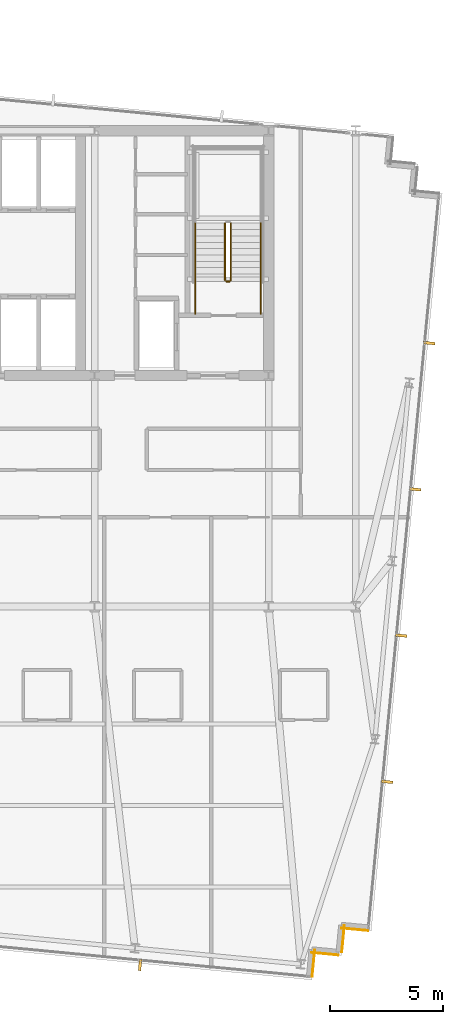
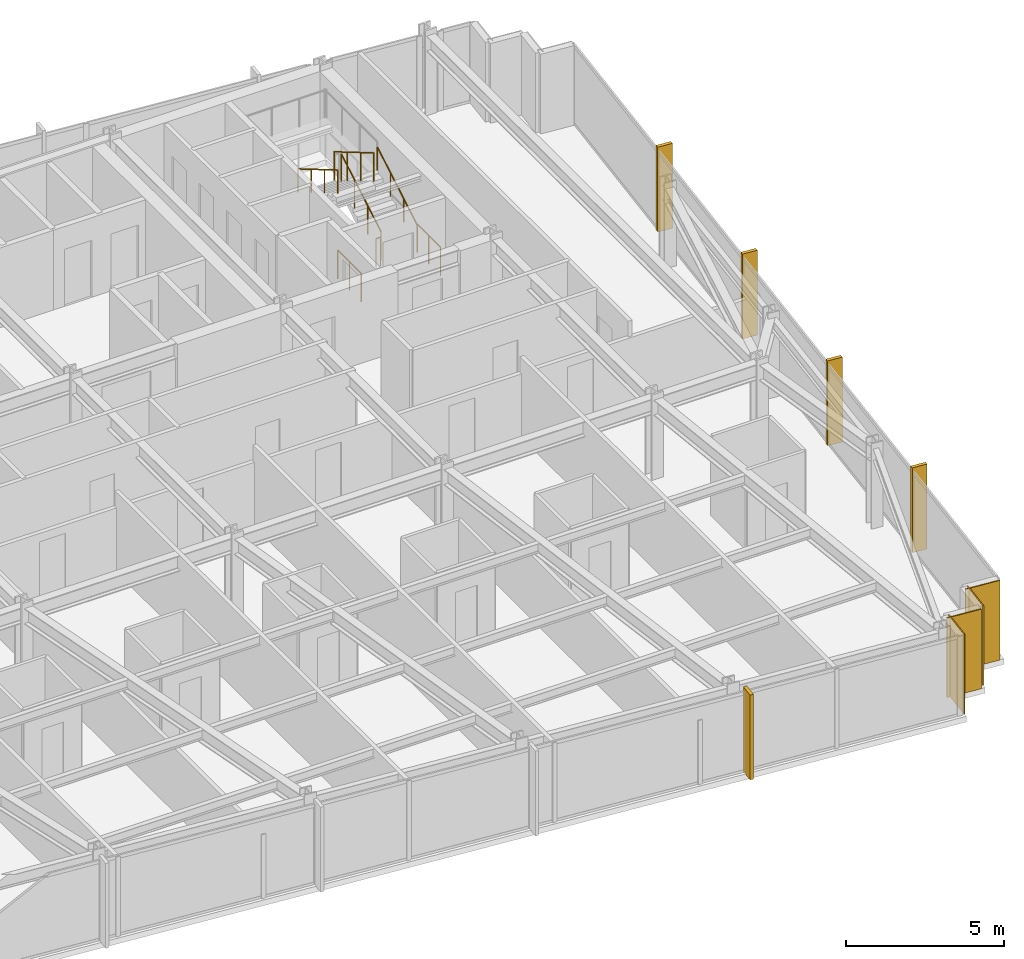
# One storey, part 35 of 37: 7 railings, 5 shading devices, 4 coverings.
"""IFC4 building model written with IfcOpenShell, lengths in metres."""

from ifc_helpers import new_model, si_unit, direction, frame, frame_2d, origin, origin_2d, place, context, subcontext, project, spatial, rectangle, circle, extrude, material, layer, layer_set, type_object, element, save


model = new_model("IFC4")

# Units and contexts
model_context = context("Model", 3, precision=1e-05, world=origin(), true_north=direction((0.0, 1.0)))
body_context = subcontext(model_context, "Body", "Model", "MODEL_VIEW")
ifc_project = project(units=[si_unit("LENGTHUNIT", "METRE"), si_unit("AREAUNIT", "SQUARE_METRE"), si_unit("VOLUMEUNIT", "CUBIC_METRE"), si_unit("PLANEANGLEUNIT", "RADIAN"), si_unit("MASSUNIT", "GRAM", prefix="KILO")], contexts=[model_context])

# Site, building, storey
site_placement = place(None, origin())
site = spatial("IfcSite", under=ifc_project, at=site_placement, CompositionType="ELEMENT")
building_placement = place(site_placement, origin())
building = spatial("IfcBuilding", under=site, at=building_placement, Name="Yelkora Congress Tower", CompositionType="ELEMENT")
storey_placement = place(building_placement, frame((0.0, 0.0, 182.0)))
storey = spatial("IfcBuildingStorey", under=building, at=storey_placement, Name="L50", CompositionType="ELEMENT", Elevation=182.0)

# Coverings
ifc_material_1 = material(Name="Anatolian bush-hammered limestone", Category="masonry")
ifc_layer_1 = layer(ifc_material_1, 0.0400390625)
ifc_layer_set_1 = layer_set([ifc_layer_1], Name="Anatolian bush-hammered limestone")
covering_type = type_object("IfcCoveringType", Name="COV-CLAD-SPANDREL-40", PredefinedType="CLADDING", material=ifc_layer_set_1)
covering_1_placement = place(storey_placement, frame((58.1474609375, 10.898681640625, 0.0), z_axis=(0.0, 0.0, 1.0), x_axis=(-0.995379537303, 0.096018626938, 0.0)))
element("IfcCovering", 1, at=covering_1_placement, inside=storey, type_object=covering_type, Name="L50 Anatolian Limestone Cladding EW-L50-SR16", PredefinedType="CLADDING", context=body_context, shape_type="SweptSolid", body=[
    extrude(rectangle(XDim=1.2001953125, YDim=0.0400390625, at=frame_2d((0.60009765625, 0.0))), origin(), (0.0, 0.0, 1.0), 3.080078125),
])
covering_2_placement = place(storey_placement, frame((57.10009765625, 11.13525390625, 0.0), z_axis=(0.0, 0.0, 1.0), x_axis=(-0.095836473879, -0.995397091755, 0.0)))
element("IfcCovering", 2, at=covering_2_placement, inside=storey, type_object=covering_type, Name="L50 Anatolian Limestone Cladding EW-L50-SR17", PredefinedType="CLADDING", context=body_context, shape_type="SweptSolid", body=[
    extrude(rectangle(XDim=1.199951171875, YDim=0.0400390625, at=frame_2d((0.60009765625, 0.0))), origin(), (0.0, 0.0, 1.0), 3.080078125),
])
for number, where, z_axis, x_axis, name in (
    (3, (56.837890625, 9.8193359375, 0.0), (0.0, 0.0, 1.0), (-0.995398960025, 0.095817067274, 0.0), "L50 Anatolian Limestone Cladding EW-L50-SR18"),
    (4, (55.790771484375, 10.055908203125, 0.0), (0.0, 0.0, 1.0), (-0.095817067274, -0.995398960025, 0.0), "L50 Anatolian Limestone Cladding EW-L50-SR19"),
):
    element("IfcCovering", number, at=place(storey_placement, frame(where, z_axis=z_axis, x_axis=x_axis)), inside=storey, type_object=covering_type, Name=name, PredefinedType="CLADDING", context=body_context, shape_type="SweptSolid", body=[
        extrude(rectangle(XDim=1.2001953125, YDim=0.0400390625, at=frame_2d((0.60009765625, 0.0))), origin(), (0.0, 0.0, 1.0), 3.080078125),
    ])

# Railings
ifc_material_2 = material(Name="Painted galvanised steel stair well guard with vertical infill", Category="steel")
ifc_layer_2 = layer(ifc_material_2, 0.06005859375)
ifc_layer_set_2 = layer_set([ifc_layer_2], Name="Painted galvanised steel stair well guard with vertical infill")
railing_type_1 = type_object("IfcRailingType", Name="RAIL-STAIR-GUARD-1120", PredefinedType="GUARDRAIL", material=ifc_layer_set_2)
railing_1_placement = place(storey_placement, frame((52.090087890625, 39.60009765625, 0.1650390625)))
element("IfcRailing", 5, at=railing_1_placement, inside=storey, type_object=railing_type_1, Name="ST-02 L50 Stair Well Guardrail 1", PredefinedType="GUARDRAIL", context=body_context, shape_type="SweptSolid", body=[
    extrude(circle(Radius=0.02392578125, at=origin_2d()), frame((0.0, 0.0, 1.09619140625), z_axis=(0.0, 0.861560626758, 0.507654692109), x_axis=(-1.0, 0.0, 0.0)), (0.0, 0.0, 1.0), 2.925048828125),
    extrude(circle(Radius=0.02099609375, at=origin_2d()), origin(), (0.0, 0.0, 1.0), 1.072021484375),
    extrude(circle(Radius=0.02099609375, at=origin_2d()), frame((0.0, 0.840087890625, 0.494873046875)), (0.0, 0.0, 1.0), 1.072021484375),
    extrude(circle(Radius=0.02099609375, at=origin_2d()), frame((0.0, 1.679931640625, 0.989990234375)), (0.0, 0.0, 1.0), 1.072021484375),
    extrude(circle(Radius=0.02099609375, at=origin_2d()), frame((0.0, 2.52001953125, 1.48486328125)), (0.0, 0.0, 1.0), 1.072021484375),
])
railing_2_placement = place(storey_placement, frame((51.830078125, 42.1201171875, 1.81494140625)))
element("IfcRailing", 6, at=railing_2_placement, inside=storey, type_object=railing_type_1, Name="ST-02 L50 Stair Well Guardrail 6", PredefinedType="GUARDRAIL", context=body_context, shape_type="SweptSolid", body=[
    extrude(circle(Radius=0.02392578125, at=origin_2d()), frame((0.0, 0.0, 1.09619140625), z_axis=(0.0, -0.86152411907, 0.507716645641), x_axis=(1.0, 0.0, 0.0)), (0.0, 0.0, 1.0), 2.925048828125),
    extrude(circle(Radius=0.02099609375, at=origin_2d()), origin(), (0.0, 0.0, 1.0), 1.072021484375),
    extrude(circle(Radius=0.02099609375, at=origin_2d()), frame((0.0, -0.840087890625, 0.4951171875)), (0.0, 0.0, 1.0), 1.072021484375),
    extrude(circle(Radius=0.02099609375, at=origin_2d()), frame((0.0, -1.679931640625, 0.989990234375)), (0.0, 0.0, 1.0), 1.072021484375),
    extrude(circle(Radius=0.02099609375, at=origin_2d()), frame((0.0, -2.52001953125, 1.485107421875)), (0.0, 0.0, 1.0), 1.072021484375),
])
railing_3_placement = place(storey_placement, frame((52.0400390625, 39.550048828125, 0.0)))
element("IfcRailing", 7, at=railing_3_placement, inside=storey, type_object=railing_type_1, Name="ST-02 L50 Stair Well Guardrail 7", PredefinedType="GUARDRAIL", context=body_context, shape_type="SweptSolid", body=[
    extrude(circle(Radius=0.02392578125, at=origin_2d()), frame((0.0, 0.0, 1.09619140625), z_axis=(-1.0, 0.0, 0.0), x_axis=(0.0, -1.0, 0.0)), (0.0, 0.0, 1.0), 0.16015625),
    extrude(circle(Radius=0.02099609375, at=origin_2d()), origin(), (0.0, 0.0, 1.0), 1.072021484375),
    extrude(circle(Radius=0.02099609375, at=origin_2d()), frame((-0.16015625, 0.0, 0.0)), (0.0, 0.0, 1.0), 1.072021484375),
])
for number, where, name in (
    (8, (53.409912109375, 38.1201171875, 0.0), "ST-02 L50 Stair Well Guardrail 8"),
    (9, (50.510009765625, 38.1201171875, 0.0), "ST-02 L50 Stair Well Guardrail 9"),
):
    element("IfcRailing", number, at=place(storey_placement, frame(where)), inside=storey, type_object=railing_type_1, Name=name, PredefinedType="GUARDRAIL", context=body_context, shape_type="SweptSolid", body=[
        extrude(circle(Radius=0.02392578125, at=origin_2d()), frame((0.0, 0.0, 1.09619140625), z_axis=(0.0, 1.0, 0.0), x_axis=(-1.0, 0.0, 0.0)), (0.0, 0.0, 1.0), 1.47998046875),
        extrude(circle(Radius=0.02099609375, at=origin_2d()), origin(), (0.0, 0.0, 1.0), 1.072021484375),
        extrude(circle(Radius=0.02099609375, at=origin_2d()), frame((0.0, 0.739990234375, 0.0)), (0.0, 0.0, 1.0), 1.072021484375),
        extrude(circle(Radius=0.02099609375, at=origin_2d()), frame((0.0, 1.47998046875, 0.0)), (0.0, 0.0, 1.0), 1.072021484375),
    ])
ifc_material_3 = material(Name="Brushed stainless steel tubular handrail", Category="steel")
ifc_layer_3 = layer(ifc_material_3, 0.050048828125)
ifc_layer_set_3 = layer_set([ifc_layer_3], Name="Brushed stainless steel tubular handrail")
railing_type_2 = type_object("IfcRailingType", Name="RAIL-STAIR-HAND-920", PredefinedType="HANDRAIL", material=ifc_layer_set_3)
railing_4_placement = place(storey_placement, frame((53.409912109375, 39.60009765625, 0.1650390625)))
element("IfcRailing", 10, at=railing_4_placement, inside=storey, type_object=railing_type_2, Name="ST-02 L50 Pitch Handrail 1", PredefinedType="HANDRAIL", context=body_context, shape_type="SweptSolid", body=[
    extrude(circle(Radius=0.02392578125, at=origin_2d()), frame((0.0, 0.0, 0.89599609375), z_axis=(0.0, 0.861560626758, 0.507654692109), x_axis=(-1.0, 0.0, 0.0)), (0.0, 0.0, 1.0), 2.925048828125),
    extrude(circle(Radius=0.02099609375, at=origin_2d()), origin(), (0.0, 0.0, 1.0), 0.871826171875),
    extrude(circle(Radius=0.02099609375, at=origin_2d()), frame((0.0, 0.840087890625, 0.494873046875)), (0.0, 0.0, 1.0), 0.871826171875),
    extrude(circle(Radius=0.02099609375, at=origin_2d()), frame((0.0, 1.679931640625, 0.989990234375)), (0.0, 0.0, 1.0), 0.871826171875),
    extrude(circle(Radius=0.02099609375, at=origin_2d()), frame((0.0, 2.52001953125, 1.48486328125)), (0.0, 0.0, 1.0), 0.871826171875),
])
railing_5_placement = place(storey_placement, frame((50.510009765625, 42.1201171875, 1.81494140625)))
element("IfcRailing", 11, at=railing_5_placement, inside=storey, type_object=railing_type_2, Name="ST-02 L50 Pitch Handrail 2", PredefinedType="HANDRAIL", context=body_context, shape_type="SweptSolid", body=[
    extrude(circle(Radius=0.02392578125, at=origin_2d()), frame((0.0, 0.0, 0.89599609375), z_axis=(0.0, -0.86152411907, 0.507716645641), x_axis=(1.0, 0.0, 0.0)), (0.0, 0.0, 1.0), 2.925048828125),
    extrude(circle(Radius=0.02099609375, at=origin_2d()), origin(), (0.0, 0.0, 1.0), 0.871826171875),
    extrude(circle(Radius=0.02099609375, at=origin_2d()), frame((0.0, -0.840087890625, 0.4951171875)), (0.0, 0.0, 1.0), 0.871826171875),
    extrude(circle(Radius=0.02099609375, at=origin_2d()), frame((0.0, -1.679931640625, 0.989990234375)), (0.0, 0.0, 1.0), 0.871826171875),
    extrude(circle(Radius=0.02099609375, at=origin_2d()), frame((0.0, -2.52001953125, 1.485107421875)), (0.0, 0.0, 1.0), 0.871826171875),
])

# Shading devices
ifc_material_4 = material(Name="Champagne anodised aluminium", Category="aluminium")
ifc_layer_4 = layer(ifc_material_4, 3.300048828125)
ifc_layer_set_4 = layer_set([ifc_layer_4], Name="Champagne anodised aluminium")
shading_device_type = type_object("IfcShadingDeviceType", Name="SHD-FIN-ALU-520", PredefinedType="USERDEFINED", material=ifc_layer_set_4)
for number, where, z_axis, x_axis, name in (
    (12, (60.84521484375, 36.83056640625, -0.02978515625), (0.0, 0.0, 1.0), (-0.09584575252, -0.995396198367, 0.0), "L50 Vertical Anodised Solar Fin 15-1"),
    (13, (60.223876953125, 30.37646484375, -0.02978515625), (0.0, 0.0, 1.0), (-0.09584575252, -0.995396198367, 0.0), "L50 Vertical Anodised Solar Fin 15-2"),
    (14, (59.602294921875, 23.92236328125, -0.02978515625), (0.0, 0.0, 1.0), (-0.09584575252, -0.995396198367, 0.0), "L50 Vertical Anodised Solar Fin 15-3"),
    (15, (58.98095703125, 17.46826171875, -0.02978515625), (0.0, 0.0, 1.0), (-0.09584575252, -0.995396198367, 0.0), "L50 Vertical Anodised Solar Fin 15-4"),
    (16, (48.082275390625, 9.3916015625, -0.02978515625), (0.0, 0.0, 1.0), (-0.995396198367, 0.09584575252, 0.0), "L50 Vertical Anodised Solar Fin 20-1"),
):
    element("IfcShadingDevice", number, at=place(storey_placement, frame(where, z_axis=z_axis, x_axis=x_axis)), inside=storey, type_object=shading_device_type, Name=name, ObjectType="FIN", PredefinedType="USERDEFINED", context=body_context, shape_type="SweptSolid", body=[
        extrude(rectangle(XDim=0.1201171875, YDim=0.52001953125, at=origin_2d()), origin(), (0.0, 0.0, 1.0), 3.280029296875),
    ])

save(model, "model.ifc")
